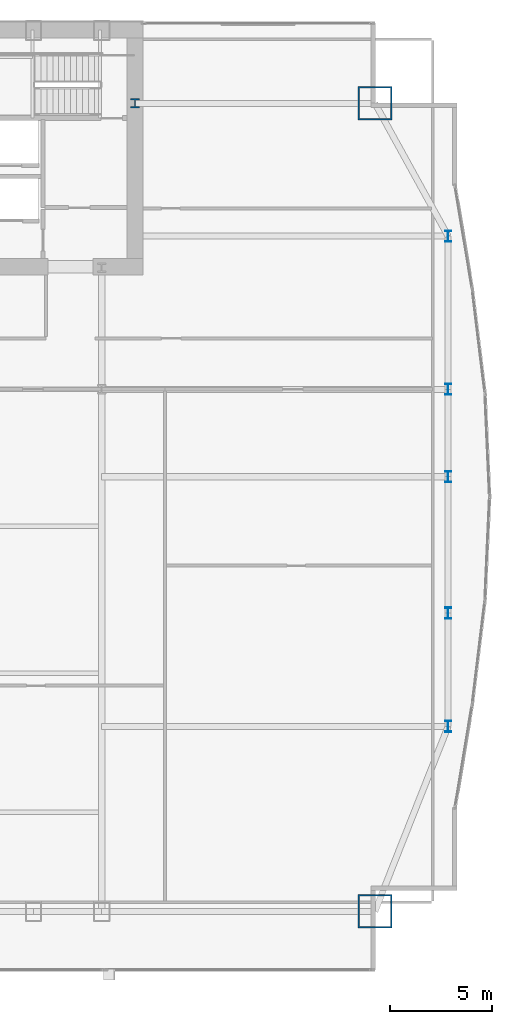
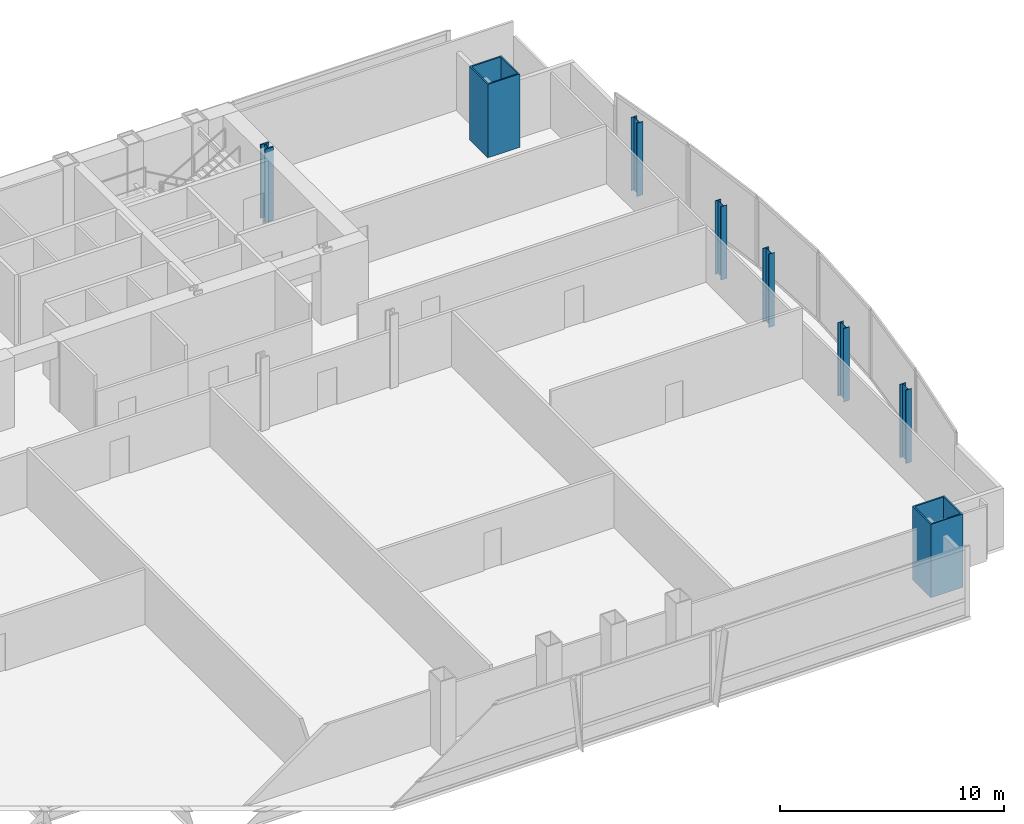
# One storey, part 4 of 32: 8 columns.
"""IFC4 building model written with IfcOpenShell, lengths in metres."""

from ifc_helpers import new_model, si_unit, direction, frame, origin, origin_2d, place, context, subcontext, project, spatial, hollow_rectangle, i_section, extrude, material, material_profile, profile_set, type_object, element, save


model = new_model("IFC4")

# Units and contexts
model_context = context("Model", 3, precision=1e-05, world=origin(), true_north=direction((0.0, 1.0)))
body_context = subcontext(model_context, "Body", "Model", "MODEL_VIEW")
ifc_project = project(units=[si_unit("LENGTHUNIT", "METRE"), si_unit("AREAUNIT", "SQUARE_METRE"), si_unit("VOLUMEUNIT", "CUBIC_METRE"), si_unit("PLANEANGLEUNIT", "RADIAN"), si_unit("MASSUNIT", "GRAM", prefix="KILO")], contexts=[model_context])

# Site, building, storey
site_placement = place(None, origin())
site = spatial("IfcSite", under=ifc_project, at=site_placement, CompositionType="ELEMENT")
building_placement = place(site_placement, origin())
building = spatial("IfcBuilding", under=site, at=building_placement, Name="Khoronbel Lancet Exchange", CompositionType="ELEMENT")
storey_placement = place(building_placement, frame((0.0, 0.0, 41.800048828125)))
storey = spatial("IfcBuildingStorey", under=building, at=storey_placement, Name="L09", CompositionType="ELEMENT", Elevation=41.800048828125)

# Columns
ifc_material_1 = material(Name="Steel S460", Category="steel")
ifc_material_profile_1 = material_profile(ifc_material_1, i_section(OverallWidth=0.424072265625, OverallDepth=0.47412109375, WebThickness=0.047607421875, FlangeThickness=0.076904296875, at=origin_2d()), Name="HD 400x634")
ifc_profile_set_1 = profile_set([ifc_material_profile_1], Name="Steel S460")
column_type_1 = type_object("IfcColumnType", Name="COL-IC1", PredefinedType="COLUMN", material=ifc_profile_set_1)
column_placement = place(storey_placement, frame((56.300048828125, 49.699951171875, 0.0), z_axis=(0.0, 0.0, 1.0), x_axis=(1.0, 0.0, 0.0)))
element("IfcColumn", 1, at=column_placement, inside=storey, type_object=column_type_1, Name="Core-flank plumb transfer column CFE L09", PredefinedType="COLUMN", context=body_context, shape_type="SweptSolid", body=[
    extrude(i_section(OverallWidth=0.424072265625, OverallDepth=0.47412109375, WebThickness=0.047607421875, FlangeThickness=0.076904296875, at=origin_2d()), origin(), (0.0, 0.0, 1.0), 4.0),
])
ifc_material_2 = material(Name="Steel S355", Category="steel")
ifc_material_profile_2 = material_profile(ifc_material_2, i_section(OverallWidth=0.300048828125, OverallDepth=0.550048828125, WebThickness=0.014892578125, FlangeThickness=0.029052734375, at=origin_2d()), Name="HEB 550")
ifc_profile_set_2 = profile_set([ifc_material_profile_2], Name="Steel S355")
column_type_2 = type_object("IfcColumnType", Name="COL-LC1", PredefinedType="COLUMN", material=ifc_profile_set_2)
for number, where, z_axis, x_axis, name in (
    (2, (71.6298828125, 19.199951171875, 0.0), (0.0, 0.0, 1.0), (1.0, 0.0, 0.0), "Structural column EC-1 L09"),
    (3, (71.6298828125, 24.75, 0.0), (0.0, 0.0, 1.0), (1.0, 0.0, 0.0), "Structural column EC-2 L09"),
    (4, (71.6298828125, 31.425048828125, 0.0), (0.0, 0.0, 1.0), (1.0, 0.0, 0.0), "Structural column EC-M L09"),
    (5, (71.6298828125, 35.699951171875, 0.0), (0.0, 0.0, 1.0), (1.0, 0.0, 0.0), "Structural column EC-3 L09"),
    (6, (71.6298828125, 43.199951171875, 0.0), (0.0, 0.0, 1.0), (1.0, 0.0, 0.0), "Structural column EC-4 L09"),
):
    element("IfcColumn", number, at=place(storey_placement, frame(where, z_axis=z_axis, x_axis=x_axis)), inside=storey, type_object=column_type_2, Name=name, PredefinedType="COLUMN", context=body_context, shape_type="SweptSolid", body=[
        extrude(i_section(OverallWidth=0.300048828125, OverallDepth=0.550048828125, WebThickness=0.014892578125, FlangeThickness=0.029052734375, at=origin_2d()), origin(), (0.0, 0.0, 1.0), 4.0),
    ])
ifc_material_profile_3 = material_profile(ifc_material_1, hollow_rectangle(XDim=1.64990234375, YDim=1.64990234375, WallThickness=0.074951171875, at=origin_2d()), Name="BOX 1650x1650x75")
ifc_profile_set_3 = profile_set([ifc_material_profile_3], Name="Steel S460")
column_type_3 = type_object("IfcColumnType", Name="COL-MC2", PredefinedType="COLUMN", material=ifc_profile_set_3)
for number, where, z_axis, x_axis, name in (
    (7, (68.050048828125, 10.14990234375, 0.0), (0.0, 0.0, 1.0), (1.0, 0.0, 0.0), "Structural column MC-SE L09"),
    (8, (68.050048828125, 49.699951171875, 0.0), (0.0, 0.0, 1.0), (1.0, 0.0, 0.0), "Structural column MC-NE L09"),
):
    element("IfcColumn", number, at=place(storey_placement, frame(where, z_axis=z_axis, x_axis=x_axis)), inside=storey, type_object=column_type_3, Name=name, PredefinedType="COLUMN", context=body_context, shape_type="SweptSolid", body=[
        extrude(hollow_rectangle(XDim=1.64990234375, YDim=1.64990234375, WallThickness=0.074951171875, at=origin_2d()), origin(), (0.0, 0.0, 1.0), 4.0),
    ])

save(model, "model.ifc")
